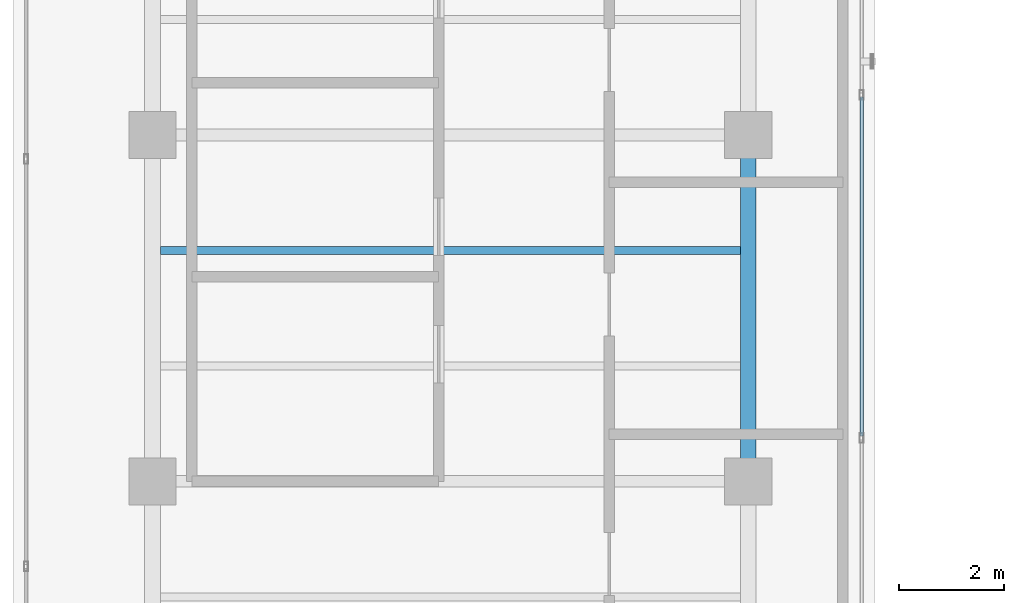
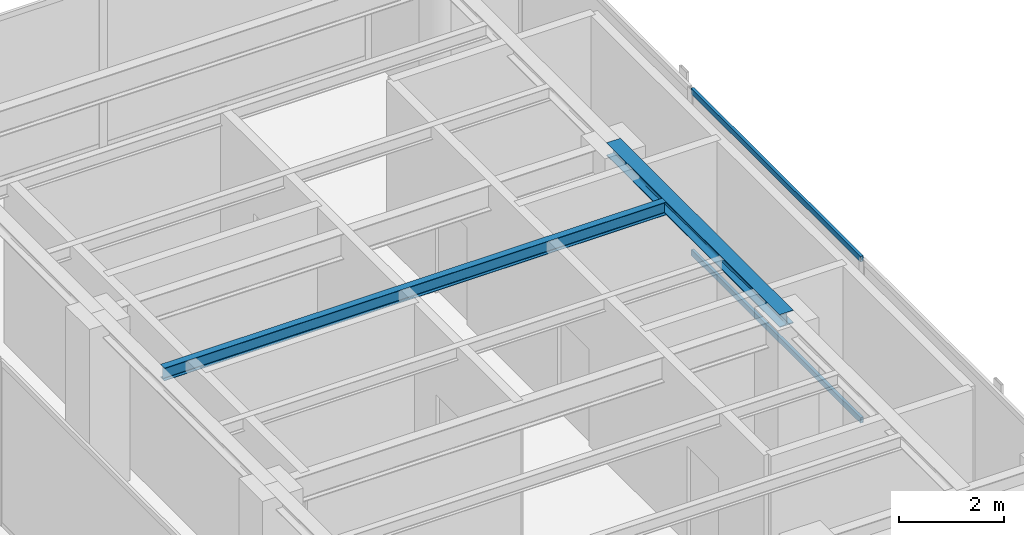
# One storey, part 12 of 24: 2 beams, 2 members, 1 element without a shape of its own.
"""IFC4 building model written with IfcOpenShell, lengths in metres."""

import ifcopenshell
import ifcopenshell.guid

model = None  # the IFC model being written
_history = None  # IfcOwnerHistory: only IFC2X3 demands one
_inside = {}  # id of a spatial element -> (the spatial element, [elements in it])
_under = {}  # id of a project, library or spatial element -> (it, [spatial elements below it])
_declared = {}  # id of a project -> (the project, [libraries it declares])
_typed = {}  # id of a type object -> (the type object, [elements of that type])
_made_of = {}  # id of a material, layer set ... -> (it, [elements and type objects made of it])


def new_model(schema):
    """Start an empty IFC model of exactly this schema.

    Asked for "IFC4X3", IfcOpenShell would pick the latest addendum, in which some entities
    have other attributes; the version numbers below select the first issue.
    IFC2X3 requires an IfcOwnerHistory on every rooted entity: one is made here for all.
    """
    global model, _history
    if schema == "IFC4X3":
        model = ifcopenshell.file(schema_version=(4, 3, 0, 0))
    else:
        model = ifcopenshell.file(schema=schema)
    _inside.clear()
    _under.clear()
    _declared.clear()
    _typed.clear()
    _made_of.clear()
    _history = None
    if model.schema == "IFC2X3":
        org = make("IfcOrganization", Name="unknown")
        user = make(
            "IfcPersonAndOrganization",
            ThePerson=make("IfcPerson", FamilyName="unknown"),
            TheOrganization=org,
        )
        app = make(
            "IfcApplication",
            ApplicationDeveloper=org,
            Version="unknown",
            ApplicationFullName="unknown",
            ApplicationIdentifier="unknown",
        )
        _history = make(
            "IfcOwnerHistory",
            OwningUser=user,
            OwningApplication=app,
            ChangeAction="ADDED",
            CreationDate=0,
        )
    return model


def make(cls, **values):
    """One entity of the class cls with the attributes given. An attribute that is None is left unset."""
    return model.create_entity(
        cls, **{name: value for name, value in values.items() if value is not None}
    )


def rooted(cls, **values):
    """An entity with a GlobalId (a new one), such as an element, a storey or a relation."""
    return make(cls, GlobalId=ifcopenshell.guid.new(), OwnerHistory=_history, **values)


def si_unit(unit_type, name, prefix=None):
    """IfcSIUnit, for example si_unit("LENGTHUNIT", "METRE", prefix="MILLI")."""
    return make("IfcSIUnit", UnitType=unit_type, Prefix=prefix, Name=name)


def assignment(units):
    """IfcUnitAssignment: the units of a project."""
    return None if units is None else make("IfcUnitAssignment", Units=units)


def point(xyz):
    """IfcCartesianPoint."""
    return None if xyz is None else make("IfcCartesianPoint", Coordinates=xyz)


def direction(xyz):
    """IfcDirection."""
    return None if xyz is None else make("IfcDirection", DirectionRatios=xyz)


def frame(location, z_axis=None, x_axis=None):
    """IfcAxis2Placement3D, a coordinate frame: its origin and axes. An axis left out is left unset."""
    return make(
        "IfcAxis2Placement3D",
        Location=point(location),
        Axis=direction(z_axis),
        RefDirection=direction(x_axis),
    )


def frame_2d(location, x_axis=None):
    """IfcAxis2Placement2D, a coordinate frame in the plane: its origin and x axis."""
    return make(
        "IfcAxis2Placement2D", Location=point(location), RefDirection=direction(x_axis)
    )


def origin():
    """The frame at (0, 0, 0) with its axes left unset."""
    return frame((0.0, 0.0, 0.0))


def origin_with_axes():
    """The frame at (0, 0, 0) with the z axis (0, 0, 1) and the x axis (1, 0, 0) written out."""
    return frame((0.0, 0.0, 0.0), z_axis=(0.0, 0.0, 1.0), x_axis=(1.0, 0.0, 0.0))


def origin_2d():
    """The frame at (0, 0) in the plane with its x axis left unset."""
    return frame_2d((0.0, 0.0))


def place(relative_to, where):
    """IfcLocalPlacement: puts the frame where relative to a parent placement (None: the world)."""
    return make(
        "IfcLocalPlacement", PlacementRelTo=relative_to, RelativePlacement=where
    )


def context(
    kind, dimensions, precision=None, world=None, true_north=None, identifier=None
):
    """IfcGeometricRepresentationContext, for example the 3D "Model" context."""
    return make(
        "IfcGeometricRepresentationContext",
        ContextIdentifier=identifier,
        ContextType=kind,
        CoordinateSpaceDimension=dimensions,
        Precision=precision,
        WorldCoordinateSystem=world,
        TrueNorth=true_north,
    )


def subcontext(parent, identifier, kind, view, scale=None):
    """IfcGeometricRepresentationSubContext, for example "Body" below "Model"."""
    return make(
        "IfcGeometricRepresentationSubContext",
        ContextIdentifier=identifier,
        ContextType=kind,
        ParentContext=parent,
        TargetScale=scale,
        TargetView=view,
    )


def project(units=None, contexts=None):
    """IfcProject with its units and contexts."""
    return rooted(
        "IfcProject",
        Name="project",
        RepresentationContexts=contexts,
        UnitsInContext=assignment(units),
    )


def spatial(cls, under=None, at=None, **own):
    """A site, building, storey or space (cls), placed at a placement, below another one or the project."""
    s = rooted(cls, ObjectPlacement=at, **own)
    if under is not None:
        _under.setdefault(under.id(), (under, []))[1].append(s)
    return s


def profile(cls, at=None, kind="AREA", **sizes):
    """A parametric profile (cls). Its sizes go by their IFC names, for example OverallWidth=200.0."""
    return make(cls, ProfileType=kind, Position=at, **sizes)


def hollow_rectangle(**sizes):
    """IfcRectangleHollowProfileDef."""
    return profile("IfcRectangleHollowProfileDef", **sizes)


def i_section(**sizes):
    """IfcIShapeProfileDef."""
    return profile("IfcIShapeProfileDef", **sizes)


def extrude(swept, where, along, depth):
    """IfcExtrudedAreaSolid: the profile swept, set in the frame where, extruded along a direction by depth."""
    return make(
        "IfcExtrudedAreaSolid",
        SweptArea=swept,
        Position=where,
        ExtrudedDirection=direction(along),
        Depth=depth,
    )


def shape(context_of_items, identifier, shape_type, items):
    """IfcShapeRepresentation: the items that make up one representation, for example the "Body"."""
    return make(
        "IfcShapeRepresentation",
        ContextOfItems=context_of_items,
        RepresentationIdentifier=identifier,
        RepresentationType=shape_type,
        Items=items,
    )


def source(mapping_origin, context_of_items, identifier, shape_type, items):
    """IfcRepresentationMap: a shape defined once, which mapped items show again and again."""
    return make(
        "IfcRepresentationMap",
        MappingOrigin=mapping_origin,
        MappedRepresentation=shape(context_of_items, identifier, shape_type, items),
    )


def transform(
    local_origin,
    x_axis=None,
    y_axis=None,
    z_axis=None,
    scale=None,
    scale2=None,
    scale3=None,
    uniform=True,
):
    """IfcCartesianTransformationOperator3D, or its non-uniform kind. x_axis, y_axis, z_axis: its Axis1, 2, 3."""
    if uniform:
        return make(
            "IfcCartesianTransformationOperator3D",
            Axis1=direction(x_axis),
            Axis2=direction(y_axis),
            LocalOrigin=point(local_origin),
            Scale=scale,
            Axis3=direction(z_axis),
        )
    return make(
        "IfcCartesianTransformationOperator3DnonUniform",
        Axis1=direction(x_axis),
        Axis2=direction(y_axis),
        LocalOrigin=point(local_origin),
        Scale=scale,
        Axis3=direction(z_axis),
        Scale2=scale2,
        Scale3=scale3,
    )


def mapped(mapping_source, mapping_target):
    """IfcMappedItem: shows the shape of a source again, moved by a transform."""
    return make(
        "IfcMappedItem", MappingSource=mapping_source, MappingTarget=mapping_target
    )


def material(Name=None, Category=None):
    """IfcMaterial."""
    return make("IfcMaterial", Name=Name, Category=Category)


def layer(
    of_material, thickness, ventilated=None, Name=None, Category=None, Priority=None
):
    """IfcMaterialLayer: one layer of a wall or slab, of a material (None: an air gap)."""
    return make(
        "IfcMaterialLayer",
        Material=of_material,
        LayerThickness=thickness,
        IsVentilated=ventilated,
        Name=Name,
        Category=Category,
        Priority=Priority,
    )


def layer_set(layers, Name=None):
    """IfcMaterialLayerSet."""
    return make("IfcMaterialLayerSet", MaterialLayers=layers, LayerSetName=Name)


def material_profile(
    of_material, cross_section, Name=None, Category=None, Priority=None
):
    """IfcMaterialProfile: a cross section and its material."""
    return make(
        "IfcMaterialProfile",
        Name=Name,
        Material=of_material,
        Profile=cross_section,
        Priority=Priority,
        Category=Category,
    )


def profile_set(profiles, Name=None, composite=None):
    """IfcMaterialProfileSet."""
    return make(
        "IfcMaterialProfileSet",
        Name=Name,
        MaterialProfiles=profiles,
        CompositeProfile=composite,
    )


def made_of(thing, what):
    """Note that an element or type object is made of a material, layer set ...; save() writes the relation."""
    if what is not None:
        _made_of.setdefault(what.id(), (what, []))[1].append(thing)
    return thing


def type_object(cls, material=None, **own):
    """A type object (cls), such as IfcWallType, which elements share."""
    return made_of(rooted(cls, **own), material)


def element(
    cls,
    number,
    at=None,
    inside=None,
    cuts=None,
    type_object=None,
    material=None,
    context=None,
    identifier="Body",
    shape_type=None,
    held_by="IfcProductDefinitionShape",
    body=None,
    shapes=None,
    **own,
):
    """One element of the class cls, such as IfcWall. Its Tag is "e" and its number.

    at: its placement. inside: the storey or other place that contains it. cuts: it is an
    opening in that element (IfcRelVoidsElement). A single representation is given by context,
    identifier, shape_type and body (its items); several are given by shapes. held_by: the class
    of the entity that holds the representations. save() writes the other relations.
    """
    e = rooted(cls, Tag="e%d" % number, ObjectPlacement=at, **own)
    if body is not None:
        shapes = [shape(context, identifier, shape_type, body)]
    if shapes is not None:
        e.Representation = make(held_by, Representations=shapes)
    if inside is not None:
        _inside.setdefault(inside.id(), (inside, []))[1].append(e)
    if cuts is not None:
        rooted(
            "IfcRelVoidsElement", RelatingBuildingElement=cuts, RelatedOpeningElement=e
        )
    if type_object is not None:
        _typed.setdefault(type_object.id(), (type_object, []))[1].append(e)
    return made_of(e, material)


def aggregate(whole, parts):
    """IfcRelAggregates: a whole, such as a stair, and the parts it consists of."""
    return rooted("IfcRelAggregates", RelatingObject=whole, RelatedObjects=parts)


def save(model, path):
    """Write the relations noted so far, then the file.

    IfcRelAggregates (storeys below a building ...), IfcRelContainedInSpatialStructure (elements
    in a storey), IfcRelDefinesByType, IfcRelAssociatesMaterial and IfcRelDeclares: one each for
    every whole, place, type object, material and project.
    """
    for whole, parts in _under.values():
        aggregate(whole, parts)
    for where, things in _inside.values():
        rooted(
            "IfcRelContainedInSpatialStructure",
            RelatedElements=things,
            RelatingStructure=where,
        )
    for kind, things in _typed.values():
        rooted("IfcRelDefinesByType", RelatedObjects=things, RelatingType=kind)
    for what, things in _made_of.values():
        rooted("IfcRelAssociatesMaterial", RelatedObjects=things, RelatingMaterial=what)
    for by, libraries in _declared.values():
        rooted("IfcRelDeclares", RelatingContext=by, RelatedDefinitions=libraries)
    model.write(path)


model = new_model("IFC4")

# Units and contexts
model_context = context("Model", 3, precision=1e-05, world=origin(), true_north=direction((0.0, 1.0)))
body_context = subcontext(model_context, "Body", "Model", "MODEL_VIEW")
ifc_project = project(units=[si_unit("LENGTHUNIT", "METRE"), si_unit("AREAUNIT", "SQUARE_METRE"), si_unit("VOLUMEUNIT", "CUBIC_METRE"), si_unit("PLANEANGLEUNIT", "RADIAN"), si_unit("MASSUNIT", "GRAM", prefix="KILO")], contexts=[model_context])

# Site, building, storey
site_placement = place(None, origin())
site = spatial("IfcSite", under=ifc_project, at=site_placement, CompositionType="ELEMENT")
building_placement = place(site_placement, origin())
building = spatial("IfcBuilding", under=site, at=building_placement, Name="Kolvaren Waterfront Exchange", CompositionType="ELEMENT")
storey_placement = place(building_placement, frame((0.0, 0.0, 356.199951171875)))
storey = spatial("IfcBuildingStorey", under=building, at=storey_placement, Name="L91", CompositionType="ELEMENT", Elevation=356.199951171875)

# Beams
ifc_material_1 = material(Name="Steel S355", Category="steel")
ifc_material_profile_1 = material_profile(ifc_material_1, i_section(OverallWidth=0.300048828125, OverallDepth=0.300048828125, WebThickness=0.010986328125, FlangeThickness=0.01904296875, FilletRadius=0.027099609375, at=origin_2d()), Name="HEB300")
ifc_profile_set_1 = profile_set([ifc_material_profile_1], Name="Steel S355")
beam_type_1 = type_object("IfcBeamType", Name="STR-BM-HEB300", PredefinedType="SPANDREL", material=ifc_profile_set_1)
beam_1_placement = place(storey_placement, frame((18.800048828125, 31.199951171875, 3.670166015625), z_axis=(0.0, 1.0, 0.0), x_axis=(-1.0, 0.0, 0.0)))
element("IfcBeam", 1, at=beam_1_placement, inside=storey, type_object=beam_type_1, Name="L91 north-arm edge beam 2", PredefinedType="SPANDREL", context=body_context, shape_type="SweptSolid", body=[
    extrude(i_section(OverallWidth=0.300048828125, OverallDepth=0.300048828125, WebThickness=0.010986328125, FlangeThickness=0.01904296875, FilletRadius=0.027099609375, at=origin_2d()), origin(), (0.0, 0.0, 1.0), 6.60009765625),
])
ifc_material_profile_2 = material_profile(ifc_material_1, i_section(OverallWidth=0.14990234375, OverallDepth=0.300048828125, WebThickness=0.007080078125, FlangeThickness=0.0107421875, FilletRadius=0.014892578125, at=origin_2d()), Name="IPE300")
ifc_profile_set_2 = profile_set([ifc_material_profile_2], Name="Steel S355")
beam_type_2 = type_object("IfcBeamType", Name="STR-BM-IPE300", PredefinedType="JOIST", material=ifc_profile_set_2)
beam_2_placement = place(storey_placement, frame((7.60205078125, 35.60009765625, 3.670166015625), z_axis=(1.0, 0.0, 0.0), x_axis=(0.0, 1.0, 0.0)))
element("IfcBeam", 2, at=beam_2_placement, inside=storey, type_object=beam_type_2, Name="L91 north-arm composite joist 4", PredefinedType="JOIST", context=body_context, shape_type="SweptSolid", body=[
    extrude(i_section(OverallWidth=0.14990234375, OverallDepth=0.300048828125, WebThickness=0.007080078125, FlangeThickness=0.0107421875, FilletRadius=0.014892578125, at=origin_2d()), origin(), (0.0, 0.0, 1.0), 11.0458984375),
])

# Curtain wall, members
ifc_material_2 = material(Name="Anodised dark bronze spandrel aluminium", Category="aluminium")
ifc_layer = layer(ifc_material_2, 0.219970703125, Name="Anodised dark bronze spandrel aluminium")
ifc_layer_set = layer_set([ifc_layer], Name="Anodised dark bronze spandrel aluminium")
curtain_wall_type = type_object("IfcCurtainWallType", Name="ARC-CW-SYS6", PredefinedType="USERDEFINED", material=ifc_layer_set)
curtain_wall_placement = place(storey_placement, origin())
curtain_wall = element("IfcCurtainWall", 3, at=curtain_wall_placement, inside=storey, type_object=curtain_wall_type, Name="L91 stick curtain wall CW6 (CW-L91-NE)", ObjectType="STICK CURTAIN WALL", PredefinedType="USERDEFINED")
ifc_material_3 = material(Name="Anodised bronze aluminium 6063-T6", Category="aluminium")
ifc_material_profile_3 = material_profile(ifc_material_3, hollow_rectangle(XDim=0.06494140625, YDim=0.1298828125, WallThickness=0.00390625, at=origin_2d()), Name="ALU-TRN-130x65x4")
ifc_profile_set_3 = profile_set([ifc_material_profile_3], Name="Anodised bronze aluminium 6063-T6")
member_type = type_object("IfcMemberType", Name="ARC-CWT-130", PredefinedType="USERDEFINED", material=ifc_profile_set_3)
shared_shape = source(origin_with_axes(), body_context, "Body", "SweptSolid", [
    extrude(hollow_rectangle(XDim=0.06494140625, YDim=0.1298828125, WallThickness=0.00390625, at=origin_2d()), origin(), (0.0, 0.0, 1.0), 6.461669921875),
])
member_1_placement = place(storey_placement, frame((20.9599609375, 32.064208984375, 0.032470703125), z_axis=(0.0, 1.0, 0.0), x_axis=(-1.0, 0.0, 0.0)))
member_1 = element("IfcMember", 4, at=member_1_placement, type_object=member_type, Name="CW6 transom 2.1", ObjectType="TRANSOM", PredefinedType="USERDEFINED", context=body_context, shape_type="MappedRepresentation", body=[
    mapped(shared_shape, transform((0.0, 0.0, 0.0), x_axis=(1.0, 0.0, 0.0), y_axis=(0.0, 1.0, 0.0), z_axis=(0.0, 0.0, 1.0), scale=1.0)),
])
member_2_placement = place(storey_placement, frame((20.9599609375, 32.064208984375, 3.78759765625), z_axis=(0.0, 1.0, 0.0), x_axis=(-1.0, 0.0, 0.0)))
member_2 = element("IfcMember", 5, at=member_2_placement, type_object=member_type, Name="CW6 transom 2.2", ObjectType="TRANSOM", PredefinedType="USERDEFINED", context=body_context, shape_type="MappedRepresentation", body=[
    mapped(shared_shape, transform((0.0, 0.0, 0.0), x_axis=(1.0, 0.0, 0.0), y_axis=(0.0, 1.0, 0.0), z_axis=(0.0, 0.0, 1.0), scale=1.0)),
])
aggregate(curtain_wall, [member_1, member_2])

save(model, "model.ifc")
